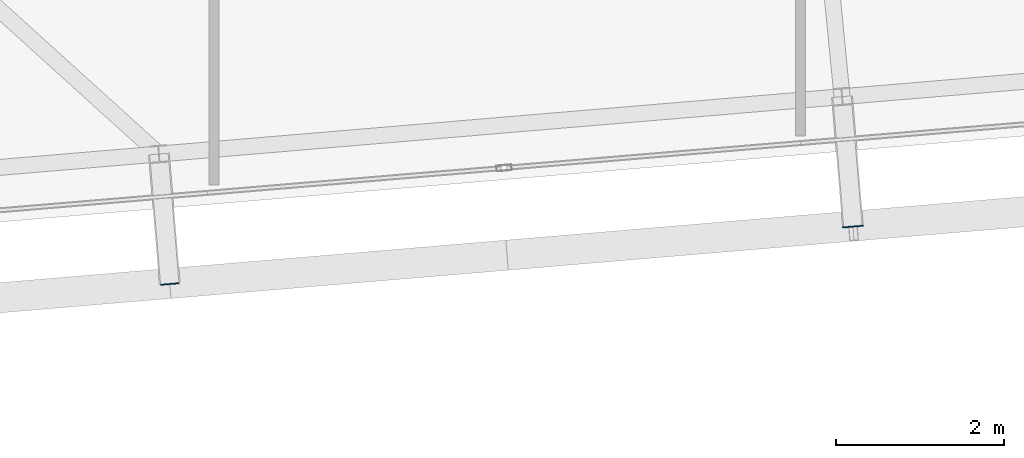
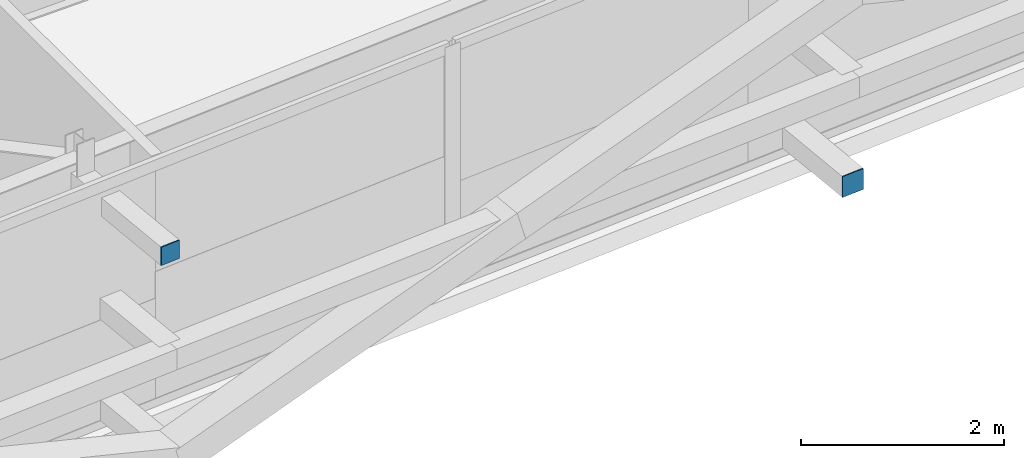
# One storey, part 28 of 39: 2 plates.
"""IFC4 building model written with IfcOpenShell, lengths in metres."""

from ifc_helpers import new_model, si_unit, direction, frame, origin, origin_2d, place, context, subcontext, project, spatial, rectangle, extrude, source, transform, mapped, material, layer, layer_set, type_object, element, save


model = new_model("IFC4")

# Units and contexts
model_context = context("Model", 3, precision=1e-05, world=origin(), true_north=direction((0.0, 1.0)))
body_context = subcontext(model_context, "Body", "Model", "MODEL_VIEW")
ifc_project = project(units=[si_unit("LENGTHUNIT", "METRE"), si_unit("AREAUNIT", "SQUARE_METRE"), si_unit("VOLUMEUNIT", "CUBIC_METRE"), si_unit("PLANEANGLEUNIT", "RADIAN"), si_unit("MASSUNIT", "GRAM", prefix="KILO")], contexts=[model_context])

# Site, building, storey
site_placement = place(None, origin())
site = spatial("IfcSite", under=ifc_project, at=site_placement, CompositionType="ELEMENT")
building_placement = place(site_placement, origin())
building = spatial("IfcBuilding", under=site, at=building_placement, Name="Taldren Reach Tower", CompositionType="ELEMENT")
storey_placement = place(building_placement, frame((0.0, 0.0, 178.85009765625)))
storey = spatial("IfcBuildingStorey", under=building, at=storey_placement, Name="L54", CompositionType="ELEMENT", Elevation=178.85009765625)

# Plates
ifc_material_1 = material(Name="Steel Gr 350 (C350L0)", Category="steel")
ifc_layer_1 = layer(ifc_material_1, 0.011962890625)
ifc_layer_set_1 = layer_set([ifc_layer_1], Name="Steel Gr 350 (C350L0)")
plate_type_1 = type_object("IfcPlateType", Name="PL-CAP-250", PredefinedType="SHEET", material=ifc_layer_set_1)
shared_shape_1 = source(origin(), body_context, "Body", "SweptSolid", [
    extrude(rectangle(XDim=0.25, YDim=0.011962890625, at=origin_2d()), origin(), (0.0, 0.0, 1.0), 0.25),
])
plate_1_placement = place(storey_placement, frame((42.623779296875, 2.596923828125, 0.094970703125), z_axis=(0.0, 0.0, 1.0), x_axis=(0.99649285925, 0.083677843332, 0.0)))
element("IfcPlate", 1, at=plate_1_placement, inside=storey, type_object=plate_type_1, Name="Tie strut end cap plate B4-S4 L54", PredefinedType="SHEET", context=body_context, shape_type="MappedRepresentation", body=[
    mapped(shared_shape_1, transform((0.0, 0.0, 0.0), scale=1.0)),
])
ifc_material_2 = material(Name="Steel Gr 450 (C450L0)", Category="steel")
ifc_layer_2 = layer(ifc_material_2, 0.011962890625)
ifc_layer_set_2 = layer_set([ifc_layer_2], Name="Steel Gr 450 (C450L0)")
plate_type_2 = type_object("IfcPlateType", Name="PL-CAP-220", PredefinedType="SHEET", material=ifc_layer_set_2)
shared_shape_2 = source(origin(), body_context, "Body", "SweptSolid", [
    extrude(rectangle(XDim=0.219970703125, YDim=0.011962890625, at=origin_2d()), origin(), (0.0, 0.0, 1.0), 0.219970703125),
])
plate_2_placement = place(storey_placement, frame((34.472412109375, 1.912353515625, 2.5400390625), z_axis=(0.0, 0.0, 1.0), x_axis=(0.99649285925, 0.083677843332, 0.0)))
element("IfcPlate", 2, at=plate_2_placement, inside=storey, type_object=plate_type_2, Name="Tie strut end cap plate B4-S3 L54", PredefinedType="SHEET", context=body_context, shape_type="MappedRepresentation", body=[
    mapped(shared_shape_2, transform((0.0, 0.0, 0.0), scale=1.0)),
])

save(model, "model.ifc")
